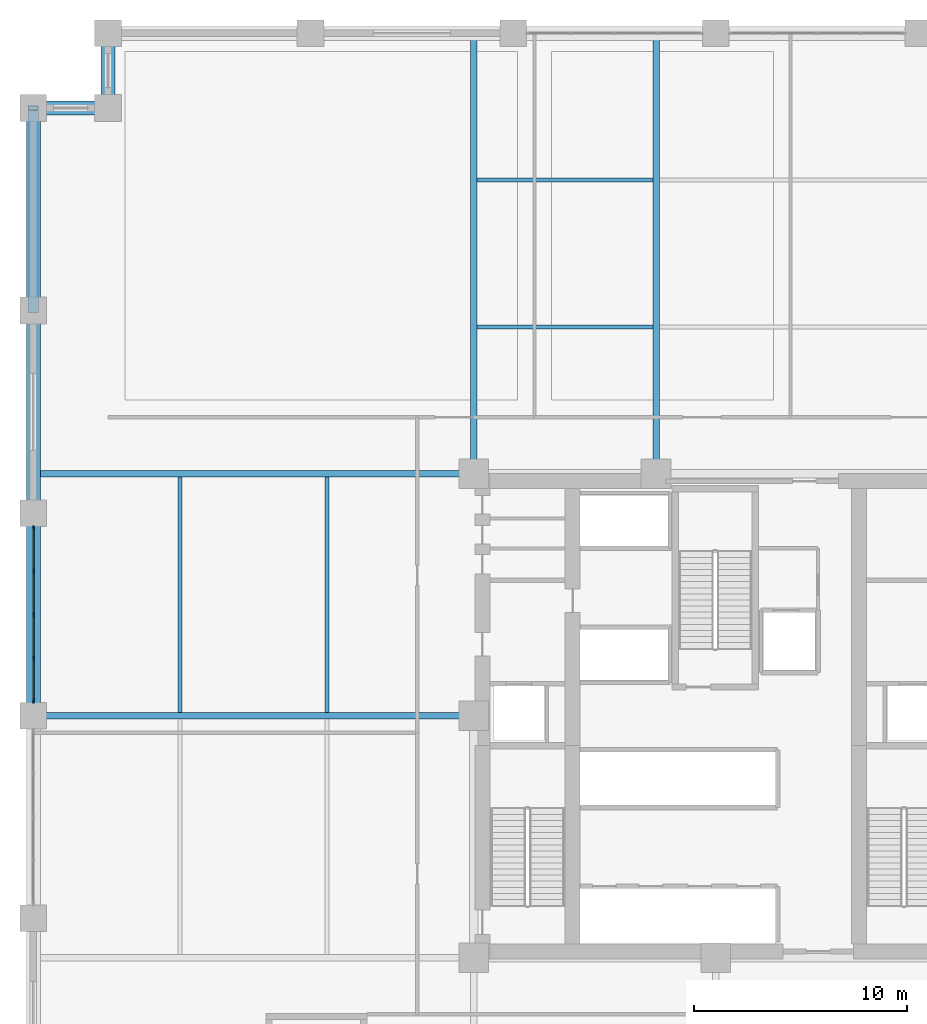
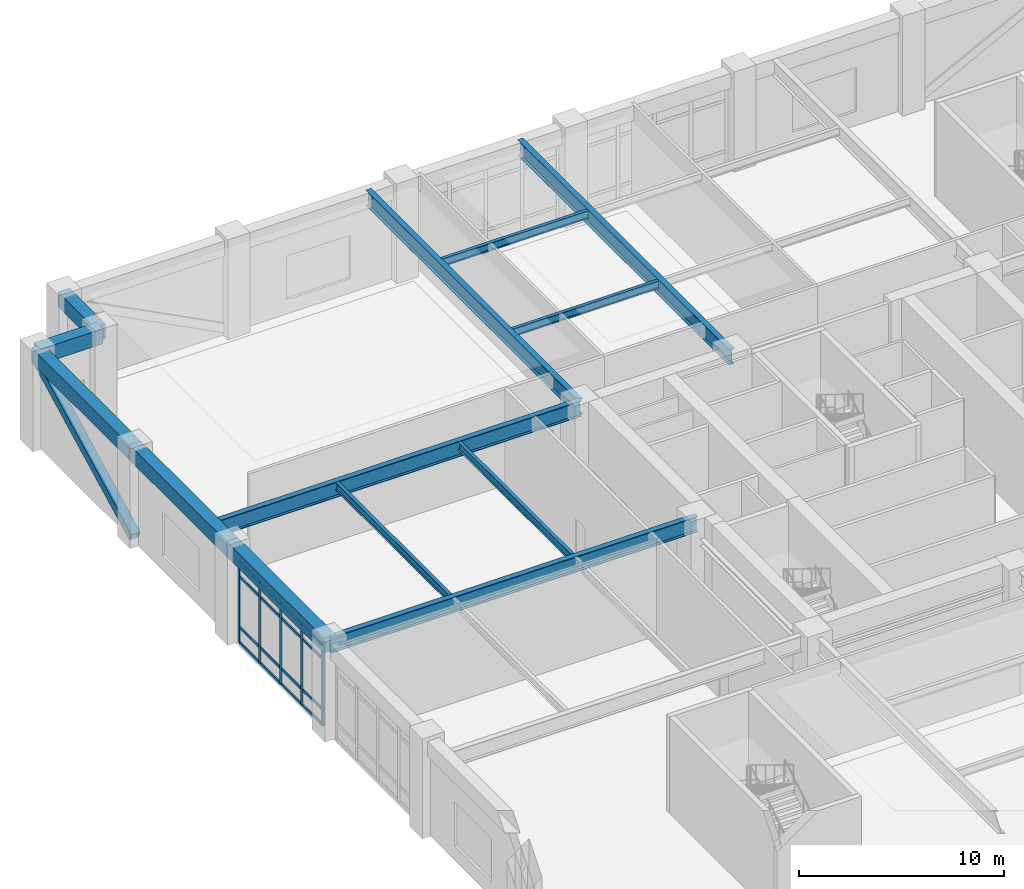
# One storey, part 6 of 21: 22 members, 13 beams, 1 element without a shape of its own.
"""IFC4 building model written with IfcOpenShell, lengths in metres."""

from ifc_helpers import new_model, si_unit, direction, frame, origin, origin_2d, place, context, subcontext, project, spatial, rectangle, hollow_rectangle, i_section, extrude, material, layer, layer_set, material_profile, profile_set, type_object, element, aggregate, save


model = new_model("IFC4")

# Units and contexts
model_context = context("Model", 3, precision=1e-05, world=origin(), true_north=direction((0.0, 1.0)))
body_context = subcontext(model_context, "Body", "Model", "MODEL_VIEW")
ifc_project = project(units=[si_unit("LENGTHUNIT", "METRE"), si_unit("AREAUNIT", "SQUARE_METRE"), si_unit("VOLUMEUNIT", "CUBIC_METRE"), si_unit("PLANEANGLEUNIT", "RADIAN"), si_unit("MASSUNIT", "GRAM", prefix="KILO")], contexts=[model_context])

# Site, building, storey
site_placement = place(None, origin())
site = spatial("IfcSite", under=ifc_project, at=site_placement, CompositionType="ELEMENT")
building_placement = place(site_placement, origin())
building = spatial("IfcBuilding", under=site, at=building_placement, Name="Nhamokura Convention Tower", CompositionType="ELEMENT")
storey_placement = place(building_placement, frame((0.0, 0.0, 17.85009765625)))
storey = spatial("IfcBuildingStorey", under=building, at=storey_placement, Name="L03", CompositionType="ELEMENT", Elevation=17.85009765625)

# Curtain wall, members
ifc_material_1 = material(Name="Anodised bronze aluminium AA6063-T6", Category="aluminium")
ifc_layer = layer(ifc_material_1, 0.199951171875)
ifc_layer_set = layer_set([ifc_layer], Name="CWSystem_ConventionFoyer")
curtain_wall_type = type_object("IfcCurtainWallType", Name="CWSystem_ConventionFoyer", PredefinedType="NOTDEFINED", material=ifc_layer_set)
curtain_wall_placement = place(storey_placement, origin())
curtain_wall = element("IfcCurtainWall", 1, at=curtain_wall_placement, inside=storey, type_object=curtain_wall_type, Name="L03 Curtain Wall ENV-L03-CW-W3", PredefinedType="NOTDEFINED")
ifc_material_2 = material(Name="Anodised bronze aluminium AA6063-T6", Category="aluminium")
ifc_material_profile_1 = material_profile(ifc_material_2, rectangle(XDim=0.074951171875, YDim=0.199951171875, at=origin_2d()))
ifc_profile_set_1 = profile_set([ifc_material_profile_1], Name="Anodised bronze aluminium AA6063-T6")
member_type_1 = type_object("IfcMemberType", Name="CWMullion_2", PredefinedType="MULLION", material=ifc_profile_set_1)
member_1_placement = place(storey_placement, frame((0.0, 32.6875, 0.0), z_axis=(0.0, 0.0, 1.0), x_axis=(-1.0, 0.0, 0.0)))
member_1 = element("IfcMember", 2, at=member_1_placement, type_object=member_type_1, Name="CW-02 mullion 1", PredefinedType="MULLION", context=body_context, shape_type="SweptSolid", body=[
    extrude(rectangle(XDim=0.074951171875, YDim=0.199951171875, at=origin_2d()), origin(), (0.0, 0.0, 1.0), 4.809814453125),
])
member_2_placement = place(storey_placement, frame((0.0, 34.699951171875, 0.0), z_axis=(0.0, 0.0, 1.0), x_axis=(-1.0, 0.0, 0.0)))
member_2 = element("IfcMember", 3, at=member_2_placement, type_object=member_type_1, Name="CW-02 mullion 2", PredefinedType="MULLION", context=body_context, shape_type="SweptSolid", body=[
    extrude(rectangle(XDim=0.074951171875, YDim=0.199951171875, at=origin_2d()), origin(), (0.0, 0.0, 1.0), 4.809814453125),
])
member_3_placement = place(storey_placement, frame((0.0, 36.75, 0.0), z_axis=(0.0, 0.0, 1.0), x_axis=(-1.0, 0.0, 0.0)))
member_3 = element("IfcMember", 4, at=member_3_placement, type_object=member_type_1, Name="CW-02 mullion 3", PredefinedType="MULLION", context=body_context, shape_type="SweptSolid", body=[
    extrude(rectangle(XDim=0.074951171875, YDim=0.199951171875, at=origin_2d()), origin(), (0.0, 0.0, 1.0), 4.809814453125),
])
member_4_placement = place(storey_placement, frame((0.0, 38.800048828125, 0.0), z_axis=(0.0, 0.0, 1.0), x_axis=(-1.0, 0.0, 0.0)))
member_4 = element("IfcMember", 5, at=member_4_placement, type_object=member_type_1, Name="CW-02 mullion 4", PredefinedType="MULLION", context=body_context, shape_type="SweptSolid", body=[
    extrude(rectangle(XDim=0.074951171875, YDim=0.199951171875, at=origin_2d()), origin(), (0.0, 0.0, 1.0), 4.809814453125),
])
member_5_placement = place(storey_placement, frame((0.0, 40.8125, 0.0), z_axis=(0.0, 0.0, 1.0), x_axis=(-1.0, 0.0, 0.0)))
member_5 = element("IfcMember", 6, at=member_5_placement, type_object=member_type_1, Name="CW-02 mullion 5", PredefinedType="MULLION", context=body_context, shape_type="SweptSolid", body=[
    extrude(rectangle(XDim=0.074951171875, YDim=0.199951171875, at=origin_2d()), origin(), (0.0, 0.0, 1.0), 4.809814453125),
])
ifc_material_3 = material(Name="Anodised bronze aluminium AA6063-T6", Category="aluminium")
ifc_material_profile_2 = material_profile(ifc_material_3, rectangle(XDim=0.074951171875, YDim=0.169921875, at=origin_2d()))
ifc_profile_set_2 = profile_set([ifc_material_profile_2], Name="Anodised bronze aluminium AA6063-T6")
member_type_2 = type_object("IfcMemberType", Name="CWTransom_2", PredefinedType="USERDEFINED", material=ifc_profile_set_2)
member_6_placement = place(storey_placement, frame((0.0, 32.72509765625, 0.037353515625), z_axis=(0.0, 1.0, 0.0), x_axis=(-1.0, 0.0, 0.0)))
member_6 = element("IfcMember", 7, at=member_6_placement, type_object=member_type_2, Name="CW-02 transom 1.1", ObjectType="TRANSOM", PredefinedType="USERDEFINED", context=body_context, shape_type="SweptSolid", body=[
    extrude(rectangle(XDim=0.074951171875, YDim=0.169921875, at=origin_2d()), origin(), (0.0, 0.0, 1.0), 1.9375),
])
member_7_placement = place(storey_placement, frame((0.0, 32.72509765625, 0.949951171875), z_axis=(0.0, 1.0, 0.0), x_axis=(-1.0, 0.0, 0.0)))
member_7 = element("IfcMember", 8, at=member_7_placement, type_object=member_type_2, Name="CW-02 transom 1.2", ObjectType="TRANSOM", PredefinedType="USERDEFINED", context=body_context, shape_type="SweptSolid", body=[
    extrude(rectangle(XDim=0.074951171875, YDim=0.169921875, at=origin_2d()), origin(), (0.0, 0.0, 1.0), 1.9375),
])
member_8_placement = place(storey_placement, frame((0.0, 32.72509765625, 3.9599609375), z_axis=(0.0, 1.0, 0.0), x_axis=(-1.0, 0.0, 0.0)))
member_8 = element("IfcMember", 9, at=member_8_placement, type_object=member_type_2, Name="CW-02 transom 1.3", ObjectType="TRANSOM", PredefinedType="USERDEFINED", context=body_context, shape_type="SweptSolid", body=[
    extrude(rectangle(XDim=0.074951171875, YDim=0.169921875, at=origin_2d()), origin(), (0.0, 0.0, 1.0), 1.9375),
])
member_9_placement = place(storey_placement, frame((0.0, 32.72509765625, 4.7724609375), z_axis=(0.0, 1.0, 0.0), x_axis=(-1.0, 0.0, 0.0)))
member_9 = element("IfcMember", 10, at=member_9_placement, type_object=member_type_2, Name="CW-02 transom 1.4", ObjectType="TRANSOM", PredefinedType="USERDEFINED", context=body_context, shape_type="SweptSolid", body=[
    extrude(rectangle(XDim=0.074951171875, YDim=0.169921875, at=origin_2d()), origin(), (0.0, 0.0, 1.0), 1.9375),
])
member_10_placement = place(storey_placement, frame((0.0, 34.737548828125, 0.037353515625), z_axis=(0.0, 1.0, 0.0), x_axis=(-1.0, 0.0, 0.0)))
member_10 = element("IfcMember", 11, at=member_10_placement, type_object=member_type_2, Name="CW-02 transom 2.1", ObjectType="TRANSOM", PredefinedType="USERDEFINED", context=body_context, shape_type="SweptSolid", body=[
    extrude(rectangle(XDim=0.074951171875, YDim=0.169921875, at=origin_2d()), origin(), (0.0, 0.0, 1.0), 1.974853515625),
])
member_11_placement = place(storey_placement, frame((0.0, 34.737548828125, 0.949951171875), z_axis=(0.0, 1.0, 0.0), x_axis=(-1.0, 0.0, 0.0)))
member_11 = element("IfcMember", 12, at=member_11_placement, type_object=member_type_2, Name="CW-02 transom 2.2", ObjectType="TRANSOM", PredefinedType="USERDEFINED", context=body_context, shape_type="SweptSolid", body=[
    extrude(rectangle(XDim=0.074951171875, YDim=0.169921875, at=origin_2d()), origin(), (0.0, 0.0, 1.0), 1.974853515625),
])
member_12_placement = place(storey_placement, frame((0.0, 34.737548828125, 3.9599609375), z_axis=(0.0, 1.0, 0.0), x_axis=(-1.0, 0.0, 0.0)))
member_12 = element("IfcMember", 13, at=member_12_placement, type_object=member_type_2, Name="CW-02 transom 2.3", ObjectType="TRANSOM", PredefinedType="USERDEFINED", context=body_context, shape_type="SweptSolid", body=[
    extrude(rectangle(XDim=0.074951171875, YDim=0.169921875, at=origin_2d()), origin(), (0.0, 0.0, 1.0), 1.974853515625),
])
member_13_placement = place(storey_placement, frame((0.0, 34.737548828125, 4.7724609375), z_axis=(0.0, 1.0, 0.0), x_axis=(-1.0, 0.0, 0.0)))
member_13 = element("IfcMember", 14, at=member_13_placement, type_object=member_type_2, Name="CW-02 transom 2.4", ObjectType="TRANSOM", PredefinedType="USERDEFINED", context=body_context, shape_type="SweptSolid", body=[
    extrude(rectangle(XDim=0.074951171875, YDim=0.169921875, at=origin_2d()), origin(), (0.0, 0.0, 1.0), 1.974853515625),
])
member_14_placement = place(storey_placement, frame((0.0, 36.78759765625, 0.037353515625), z_axis=(0.0, 1.0, 0.0), x_axis=(-1.0, 0.0, 0.0)))
member_14 = element("IfcMember", 15, at=member_14_placement, type_object=member_type_2, Name="CW-02 transom 3.1", ObjectType="TRANSOM", PredefinedType="USERDEFINED", context=body_context, shape_type="SweptSolid", body=[
    extrude(rectangle(XDim=0.074951171875, YDim=0.169921875, at=origin_2d()), origin(), (0.0, 0.0, 1.0), 1.974853515625),
])
member_15_placement = place(storey_placement, frame((0.0, 36.78759765625, 0.949951171875), z_axis=(0.0, 1.0, 0.0), x_axis=(-1.0, 0.0, 0.0)))
member_15 = element("IfcMember", 16, at=member_15_placement, type_object=member_type_2, Name="CW-02 transom 3.2", ObjectType="TRANSOM", PredefinedType="USERDEFINED", context=body_context, shape_type="SweptSolid", body=[
    extrude(rectangle(XDim=0.074951171875, YDim=0.169921875, at=origin_2d()), origin(), (0.0, 0.0, 1.0), 1.974853515625),
])
member_16_placement = place(storey_placement, frame((0.0, 36.78759765625, 3.9599609375), z_axis=(0.0, 1.0, 0.0), x_axis=(-1.0, 0.0, 0.0)))
member_16 = element("IfcMember", 17, at=member_16_placement, type_object=member_type_2, Name="CW-02 transom 3.3", ObjectType="TRANSOM", PredefinedType="USERDEFINED", context=body_context, shape_type="SweptSolid", body=[
    extrude(rectangle(XDim=0.074951171875, YDim=0.169921875, at=origin_2d()), origin(), (0.0, 0.0, 1.0), 1.974853515625),
])
member_17_placement = place(storey_placement, frame((0.0, 36.78759765625, 4.7724609375), z_axis=(0.0, 1.0, 0.0), x_axis=(-1.0, 0.0, 0.0)))
member_17 = element("IfcMember", 18, at=member_17_placement, type_object=member_type_2, Name="CW-02 transom 3.4", ObjectType="TRANSOM", PredefinedType="USERDEFINED", context=body_context, shape_type="SweptSolid", body=[
    extrude(rectangle(XDim=0.074951171875, YDim=0.169921875, at=origin_2d()), origin(), (0.0, 0.0, 1.0), 1.974853515625),
])
member_18_placement = place(storey_placement, frame((0.0, 38.83740234375, 0.037353515625), z_axis=(0.0, 1.0, 0.0), x_axis=(-1.0, 0.0, 0.0)))
member_18 = element("IfcMember", 19, at=member_18_placement, type_object=member_type_2, Name="CW-02 transom 4.1", ObjectType="TRANSOM", PredefinedType="USERDEFINED", context=body_context, shape_type="SweptSolid", body=[
    extrude(rectangle(XDim=0.074951171875, YDim=0.169921875, at=origin_2d()), origin(), (0.0, 0.0, 1.0), 1.9375),
])
member_19_placement = place(storey_placement, frame((0.0, 38.83740234375, 0.949951171875), z_axis=(0.0, 1.0, 0.0), x_axis=(-1.0, 0.0, 0.0)))
member_19 = element("IfcMember", 20, at=member_19_placement, type_object=member_type_2, Name="CW-02 transom 4.2", ObjectType="TRANSOM", PredefinedType="USERDEFINED", context=body_context, shape_type="SweptSolid", body=[
    extrude(rectangle(XDim=0.074951171875, YDim=0.169921875, at=origin_2d()), origin(), (0.0, 0.0, 1.0), 1.9375),
])
member_20_placement = place(storey_placement, frame((0.0, 38.83740234375, 3.9599609375), z_axis=(0.0, 1.0, 0.0), x_axis=(-1.0, 0.0, 0.0)))
member_20 = element("IfcMember", 21, at=member_20_placement, type_object=member_type_2, Name="CW-02 transom 4.3", ObjectType="TRANSOM", PredefinedType="USERDEFINED", context=body_context, shape_type="SweptSolid", body=[
    extrude(rectangle(XDim=0.074951171875, YDim=0.169921875, at=origin_2d()), origin(), (0.0, 0.0, 1.0), 1.9375),
])
member_21_placement = place(storey_placement, frame((0.0, 38.83740234375, 4.7724609375), z_axis=(0.0, 1.0, 0.0), x_axis=(-1.0, 0.0, 0.0)))
member_21 = element("IfcMember", 22, at=member_21_placement, type_object=member_type_2, Name="CW-02 transom 4.4", ObjectType="TRANSOM", PredefinedType="USERDEFINED", context=body_context, shape_type="SweptSolid", body=[
    extrude(rectangle(XDim=0.074951171875, YDim=0.169921875, at=origin_2d()), origin(), (0.0, 0.0, 1.0), 1.9375),
])
aggregate(curtain_wall, [member_1, member_2, member_3, member_4, member_5, member_6, member_7, member_8, member_9, member_10, member_11, member_12, member_13, member_14, member_15, member_16, member_17, member_18, member_19, member_20, member_21])

# Beams
ifc_material_4 = material(Name="Steel ASTM A992 Gr 50", Category="steel")
ifc_material_profile_3 = material_profile(ifc_material_4, i_section(OverallWidth=0.19189453125, OverallDepth=0.462890625, WebThickness=0.010498046875, FlangeThickness=0.017578125, at=origin_2d()))
ifc_profile_set_3 = profile_set([ifc_material_profile_3], Name="Steel ASTM A992 Gr 50")
beam_type_1 = type_object("IfcBeamType", Name="FloorJoist_W460X89", PredefinedType="JOIST", material=ifc_profile_set_3)
for number, where, z_axis, x_axis, name in (
    (23, (20.802001953125, 50.2333984375, 5.478515625), (1.0, 0.0, 0.0), (0.0, 1.0, 0.0), "L03 Composite Floor Joist N1A"),
    (24, (20.802001953125, 57.11669921875, 5.478515625), (1.0, 0.0, 0.0), (0.0, 1.0, 0.0), "L03 Composite Floor Joist N2A"),
):
    element("IfcBeam", number, at=place(storey_placement, frame(where, z_axis=z_axis, x_axis=x_axis)), inside=storey, type_object=beam_type_1, Name=name, PredefinedType="JOIST", context=body_context, shape_type="SweptSolid", body=[
        extrude(i_section(OverallWidth=0.19189453125, OverallDepth=0.462890625, WebThickness=0.010498046875, FlangeThickness=0.017578125, at=origin_2d()), origin(), (0.0, 0.0, 1.0), 8.24609375),
    ])
for number, where, z_axis, x_axis, name in (
    (25, (6.88330078125, 32.152099609375, 5.478515625), (0.0, 1.0, 0.0), (-1.0, 0.0, 0.0), "L03 Composite Floor Joist W1B"),
    (26, (13.7666015625, 32.152099609375, 5.478515625), (0.0, 1.0, 0.0), (-1.0, 0.0, 0.0), "L03 Composite Floor Joist W2B"),
):
    element("IfcBeam", number, at=place(storey_placement, frame(where, z_axis=z_axis, x_axis=x_axis)), inside=storey, type_object=beam_type_1, Name=name, PredefinedType="JOIST", context=body_context, shape_type="SweptSolid", body=[
        extrude(i_section(OverallWidth=0.19189453125, OverallDepth=0.462890625, WebThickness=0.010498046875, FlangeThickness=0.017578125, at=origin_2d()), origin(), (0.0, 0.0, 1.0), 11.0458984375),
    ])
ifc_material_5 = material(Name="Steel ASTM A992 Gr 50", Category="steel")
ifc_material_profile_4 = material_profile(ifc_material_5, i_section(OverallWidth=0.30810546875, OverallDepth=0.927001953125, WebThickness=0.019287109375, FlangeThickness=0.031982421875, at=origin_2d()))
ifc_profile_set_4 = profile_set([ifc_material_profile_4], Name="Steel ASTM A992 Gr 50")
beam_type_2 = type_object("IfcBeamType", Name="HallGirder_W920X289", PredefinedType="BEAM", material=ifc_profile_set_4)
for number, where, z_axis, x_axis, name in (
    (27, (20.64990234375, 43.35009765625, 5.246337890625), (0.0, 1.0, 0.0), (-1.0, 0.0, 0.0), "L03 Primary Floor Girder PG-N1"),
    (28, (29.199951171875, 43.35009765625, 5.246337890625), (0.0, 1.0, 0.0), (-1.0, 0.0, 0.0), "L03 Primary Floor Girder PG-N2"),
    (29, (0.0, 32.0, 5.246337890625), (1.0, 0.0, 0.0), (0.0, 1.0, 0.0), "L03 Primary Floor Girder PG-W2"),
    (30, (0.0, 43.35009765625, 5.246337890625), (1.0, 0.0, 0.0), (0.0, 1.0, 0.0), "L03 Primary Floor Girder PG-W3"),
):
    element("IfcBeam", number, at=place(storey_placement, frame(where, z_axis=z_axis, x_axis=x_axis)), inside=storey, type_object=beam_type_2, Name=name, PredefinedType="BEAM", context=body_context, shape_type="SweptSolid", body=[
        extrude(i_section(OverallWidth=0.30810546875, OverallDepth=0.927001953125, WebThickness=0.019287109375, FlangeThickness=0.031982421875, at=origin_2d()), origin(), (0.0, 0.0, 1.0), 20.64990234375),
    ])

# Member
ifc_material_6 = material(Name="Steel ASTM A572 Gr 50", Category="steel")
ifc_material_profile_5 = material_profile(ifc_material_6, hollow_rectangle(XDim=0.5, YDim=0.5, WallThickness=0.02490234375, at=origin_2d()))
ifc_profile_set_5 = profile_set([ifc_material_profile_5], Name="Steel ASTM A572 Gr 50")
member_type_3 = type_object("IfcMemberType", Name="TubeBrace_HSS500", PredefinedType="BRACE", material=ifc_profile_set_5)
member_22_placement = place(storey_placement, frame((0.0, 51.0, 0.14990234375), z_axis=(0.0, 0.888365692966, 0.459136576152), x_axis=(-1.0, 0.0, 0.0)))
element("IfcMember", 31, at=member_22_placement, inside=storey, type_object=member_type_3, Name="L03 Perimeter Tube Brace WEST Bay 5", PredefinedType="BRACE", context=body_context, shape_type="SweptSolid", body=[
    extrude(hollow_rectangle(XDim=0.5, YDim=0.5, WallThickness=0.02490234375, at=origin_2d()), origin(), (0.0, 0.0, 1.0), 10.69384765625),
])

# Beams
ifc_material_7 = material(Name="Concrete C60/75", Category="concrete")
ifc_material_profile_6 = material_profile(ifc_material_7, rectangle(XDim=0.64990234375, YDim=0.89990234375, at=origin_2d()))
ifc_profile_set_6 = profile_set([ifc_material_profile_6], Name="Concrete C60/75")
beam_type_3 = type_object("IfcBeamType", Name="TubeSpandrel_900", PredefinedType="SPANDREL", material=ifc_profile_set_6)
for number, where, z_axis, x_axis, name in (
    (32, (0.0, 32.0, 5.260009765625), (0.0, 1.0, 0.0), (-1.0, 0.0, 0.0), "L03 Perimeter Spandrel WEST 4"),
    (33, (0.0, 41.5, 5.260009765625), (0.0, 1.0, 0.0), (-1.0, 0.0, 0.0), "L03 Perimeter Spandrel WEST 5"),
    (34, (0.0, 51.0, 5.260009765625), (0.0, 1.0, 0.0), (-1.0, 0.0, 0.0), "L03 Perimeter Spandrel WEST 6"),
):
    element("IfcBeam", number, at=place(storey_placement, frame(where, z_axis=z_axis, x_axis=x_axis)), inside=storey, type_object=beam_type_3, Name=name, PredefinedType="SPANDREL", context=body_context, shape_type="SweptSolid", body=[
        extrude(rectangle(XDim=0.64990234375, YDim=0.89990234375, at=origin_2d()), origin(), (0.0, 0.0, 1.0), 9.5),
    ])
for number, where, z_axis, x_axis, name in (
    (35, (3.5, 64.0, 5.260009765625), (0.0, -1.0, 0.0), (1.0, 0.0, 0.0), "L03 Notch Spandrel NW1"),
    (36, (3.5, 60.5, 5.260009765625), (-1.0, 0.0, 0.0), (0.0, -1.0, 0.0), "L03 Notch Spandrel NW2"),
):
    element("IfcBeam", number, at=place(storey_placement, frame(where, z_axis=z_axis, x_axis=x_axis)), inside=storey, type_object=beam_type_3, Name=name, PredefinedType="SPANDREL", context=body_context, shape_type="SweptSolid", body=[
        extrude(rectangle(XDim=0.64990234375, YDim=0.89990234375, at=origin_2d()), origin(), (0.0, 0.0, 1.0), 3.5),
    ])

save(model, "model.ifc")
